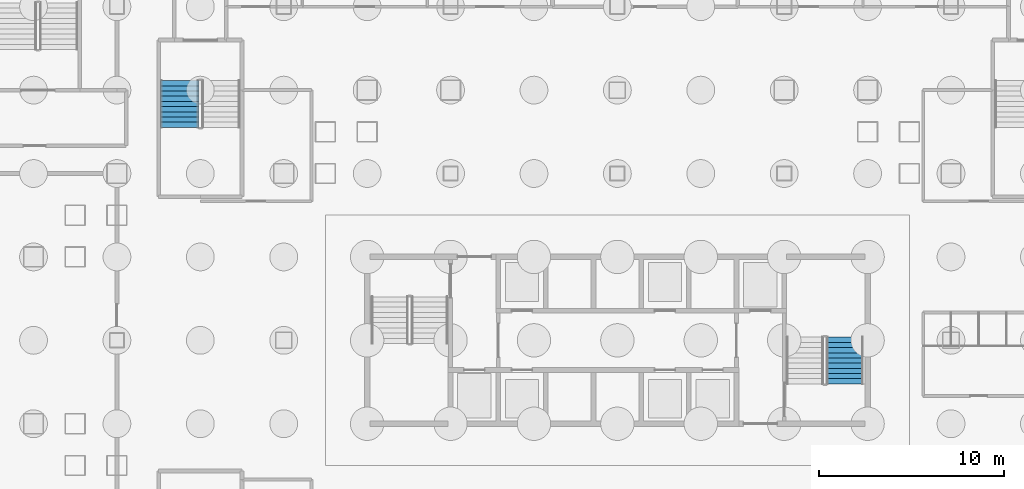
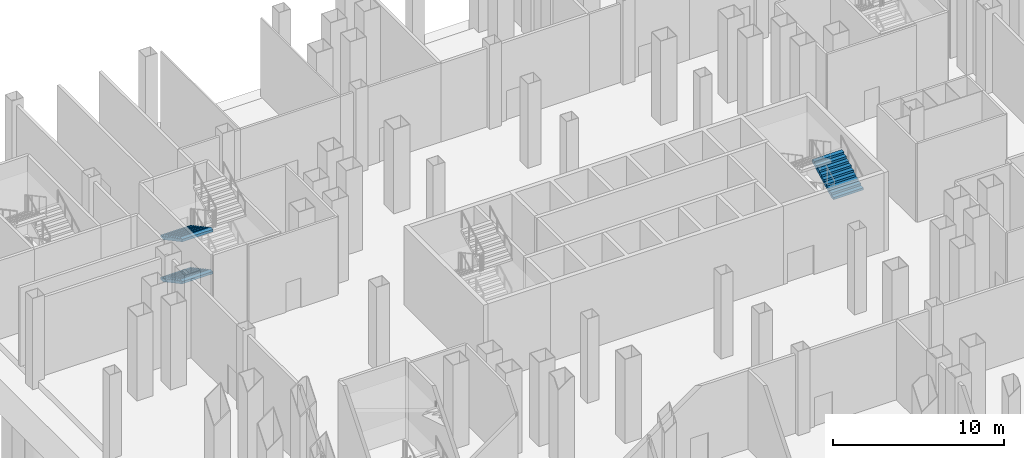
# One storey, part 13 of 25: 3 stair flights, 2 elements without a shape of their own.
"""IFC4 building model written with IfcOpenShell, lengths in metres."""

from ifc_helpers import new_model, si_unit, direction, frame, origin, place, context, subcontext, project, spatial, polygons, material, type_object, element, aggregate, save


model = new_model("IFC4")

# Units and contexts
model_context = context("Model", 3, precision=1e-05, world=origin(), true_north=direction((0.0, 1.0)))
body_context = subcontext(model_context, "Body", "Model", "MODEL_VIEW")
ifc_project = project(units=[si_unit("LENGTHUNIT", "METRE"), si_unit("AREAUNIT", "SQUARE_METRE"), si_unit("VOLUMEUNIT", "CUBIC_METRE"), si_unit("PLANEANGLEUNIT", "RADIAN"), si_unit("MASSUNIT", "GRAM", prefix="KILO")], contexts=[model_context])

# Site, building, storey
site_placement = place(None, origin())
site = spatial("IfcSite", under=ifc_project, at=site_placement, CompositionType="ELEMENT")
building_placement = place(site_placement, origin())
building = spatial("IfcBuilding", under=site, at=building_placement, Name="Caravel Reach Hotel and Residences", CompositionType="ELEMENT")
storey_placement = place(building_placement, frame((0.0, 0.0, -6.0)))
storey = spatial("IfcBuildingStorey", under=building, at=storey_placement, Name="B1", CompositionType="ELEMENT", Elevation=-6.0)

# Stair, stair flight
ifc_material_1 = material(Name="Concrete C40", Category="concrete")
stair_type = type_object("IfcStairType", Name="Core stair", PredefinedType="HALF_TURN_STAIR", material=ifc_material_1)
stair_1_placement = place(storey_placement, origin())
stair_1 = element("IfcStair", 1, at=stair_1_placement, inside=storey, type_object=stair_type, Name="B1 Exit stair B", PredefinedType="HALF_TURN_STAIR")
ifc_material_2 = material(Name="Concrete C40", Category="concrete")
stair_flight_type = type_object("IfcStairFlightType", Name="Core stair flight", PredefinedType="STRAIGHT", material=ifc_material_2)
stair_flight_1_placement = place(storey_placement, frame((43.77490234375, 24.64990234375, 3.0), z_axis=(0.0, 0.0, 1.0), x_axis=(0.0, 1.0, 0.0)))
stair_flight_1 = element("IfcStairFlight", 2, at=stair_flight_1_placement, type_object=stair_flight_type, Name="ST-B flight 3", NumberOfRisers=10, NumberOfTreads=9, PredefinedType="STRAIGHT", RiserHeight=0.15, TreadLength=0.28, context=body_context, shape_type="Tessellation", body=[
    polygons([(0.3174408016601862, 1.0, 0.0), (0.3174408016601862, 0.6666666666666667, 0.0), (0.3174408016601862, 0.33333333333333337, 0.0), (0.3174408016601862, 0.0, 0.0), (0.3174408016601862, -0.33333333333333326, 0.0), (0.3174408016601862, -0.6666666666666667, 0.0), (0.3174408016601862, -1.0, 0.0), (2.5210000000000004, 1.0, 1.1799424276820432), (2.5210000000000004, 0.6666666666666667, 1.1799424276820432), (2.5210000000000004, 0.33333333333333337, 1.1799424276820432), (2.5210000000000004, 0.0, 1.1799424276820432), (2.5210000000000004, -0.33333333333333326, 1.1799424276820432), (2.5210000000000004, -0.6666666666666667, 1.1799424276820432), (2.5210000000000004, -1.0, 1.1799424276820432), (2.5210000000000004, 1.0, 1.3499999999999999), (2.5210000000000004, 0.6666666666666667, 1.3499999999999999), (2.5210000000000004, 0.33333333333333337, 1.3499999999999999), (2.5210000000000004, 0.0, 1.3499999999999999), (2.5210000000000004, -0.33333333333333326, 1.3499999999999999), (2.5210000000000004, -0.6666666666666667, 1.3499999999999999), (2.5210000000000004, -1.0, 1.3499999999999999), (2.24, 1.0, 1.3499999999999999), (2.24, 0.6666666666666667, 1.3499999999999999), (2.24, 0.33333333333333337, 1.3499999999999999), (2.24, 0.0, 1.3499999999999999), (2.24, -0.33333333333333326, 1.3499999999999999), (2.24, -0.6666666666666667, 1.3499999999999999), (2.24, -1.0, 1.3499999999999999), (2.24, 1.0, 1.2), (2.24, 0.6666666666666667, 1.2), (2.24, 0.33333333333333337, 1.2), (2.24, 0.0, 1.2), (2.24, -0.33333333333333326, 1.2), (2.24, -0.6666666666666667, 1.2), (2.24, -1.0, 1.2), (1.9600000000000002, 1.0, 1.2), (1.9600000000000002, 0.6666666666666667, 1.2), (1.9600000000000002, 0.33333333333333337, 1.2), (1.9600000000000002, 0.0, 1.2), (1.9600000000000002, -0.33333333333333326, 1.2), (1.9600000000000002, -0.6666666666666667, 1.2), (1.9600000000000002, -1.0, 1.2), (1.9600000000000002, 1.0, 1.05), (1.9600000000000002, 0.6666666666666667, 1.05), (1.9600000000000002, 0.33333333333333337, 1.05), (1.9600000000000002, 0.0, 1.05), (1.9600000000000002, -0.33333333333333326, 1.05), (1.9600000000000002, -0.6666666666666667, 1.05), (1.9600000000000002, -1.0, 1.05), (1.6800000000000002, 1.0, 1.05), (1.6800000000000002, 0.6666666666666667, 1.05), (1.6800000000000002, 0.33333333333333337, 1.05), (1.6800000000000002, 0.0, 1.05), (1.6800000000000002, -0.33333333333333326, 1.05), (1.6800000000000002, -0.6666666666666667, 1.05), (1.6800000000000002, -1.0, 1.05), (1.6800000000000002, 1.0, 0.8999999999999999), (1.6800000000000002, 0.6666666666666667, 0.8999999999999999), (1.6800000000000002, 0.33333333333333337, 0.8999999999999999), (1.6800000000000002, 0.0, 0.8999999999999999), (1.6800000000000002, -0.33333333333333326, 0.8999999999999999), (1.6800000000000002, -0.6666666666666667, 0.8999999999999999), (1.6800000000000002, -1.0, 0.8999999999999999), (1.4000000000000001, 1.0, 0.8999999999999999), (1.4000000000000001, 0.6666666666666667, 0.8999999999999999), (1.4000000000000001, 0.33333333333333337, 0.8999999999999999), (1.4000000000000001, 0.0, 0.8999999999999999), (1.4000000000000001, -0.33333333333333326, 0.8999999999999999), (1.4000000000000001, -0.6666666666666667, 0.8999999999999999), (1.4000000000000001, -1.0, 0.8999999999999999), (1.4000000000000001, 1.0, 0.75), (1.4000000000000001, 0.6666666666666667, 0.75), (1.4000000000000001, 0.33333333333333337, 0.75), (1.4000000000000001, 0.0, 0.75), (1.4000000000000001, -0.33333333333333326, 0.75), (1.4000000000000001, -0.6666666666666667, 0.75), (1.4000000000000001, -1.0, 0.75), (1.12, 1.0, 0.75), (1.12, 0.6666666666666667, 0.75), (1.12, 0.33333333333333337, 0.75), (1.12, 0.0, 0.75), (1.12, -0.33333333333333326, 0.75), (1.12, -0.6666666666666667, 0.75), (1.12, -1.0, 0.75), (1.12, 1.0, 0.6), (1.12, 0.6666666666666667, 0.6), (1.12, 0.33333333333333337, 0.6), (1.12, 0.0, 0.6), (1.12, -0.33333333333333326, 0.6), (1.12, -0.6666666666666667, 0.6), (1.12, -1.0, 0.6), (0.8400000000000001, 1.0, 0.6), (0.8400000000000001, 0.6666666666666667, 0.6), (0.8400000000000001, 0.33333333333333337, 0.6), (0.8400000000000001, 0.0, 0.6), (0.8400000000000001, -0.33333333333333326, 0.6), (0.8400000000000001, -0.6666666666666667, 0.6), (0.8400000000000001, -1.0, 0.6), (0.8400000000000001, 1.0, 0.44999999999999996), (0.8400000000000001, 0.6666666666666667, 0.44999999999999996), (0.8400000000000001, 0.33333333333333337, 0.44999999999999996), (0.8400000000000001, 0.0, 0.44999999999999996), (0.8400000000000001, -0.33333333333333326, 0.44999999999999996), (0.8400000000000001, -0.6666666666666667, 0.44999999999999996), (0.8400000000000001, -1.0, 0.44999999999999996), (0.56, 1.0, 0.44999999999999996), (0.56, 0.6666666666666667, 0.44999999999999996), (0.56, 0.33333333333333337, 0.44999999999999996), (0.56, 0.0, 0.44999999999999996), (0.56, -0.33333333333333326, 0.44999999999999996), (0.56, -0.6666666666666667, 0.44999999999999996), (0.56, -1.0, 0.44999999999999996), (0.56, 1.0, 0.3), (0.56, 0.6666666666666667, 0.3), (0.56, 0.33333333333333337, 0.3), (0.56, 0.0, 0.3), (0.56, -0.33333333333333326, 0.3), (0.56, -0.6666666666666667, 0.3), (0.56, -1.0, 0.3), (0.28, 1.0, 0.3), (0.28, 0.6666666666666667, 0.3), (0.28, 0.33333333333333337, 0.3), (0.28, 0.0, 0.3), (0.28, -0.33333333333333326, 0.3), (0.28, -0.6666666666666667, 0.3), (0.28, -1.0, 0.3), (0.28, 1.0, 0.15), (0.28, 0.6666666666666667, 0.15), (0.28, 0.33333333333333337, 0.15), (0.28, 0.0, 0.15), (0.28, -0.33333333333333326, 0.15), (0.28, -0.6666666666666667, 0.15), (0.28, -1.0, 0.15), (-0.001, 1.0, 0.15), (-0.001, 0.6666666666666667, 0.15), (-0.001, 0.33333333333333337, 0.15), (-0.001, 0.0, 0.15), (-0.001, -0.33333333333333326, 0.15), (-0.001, -0.6666666666666667, 0.15), (-0.001, -1.0, 0.15), (-0.001, 1.0, 0.0), (-0.001, 0.6666666666666667, 0.0), (-0.001, 0.33333333333333337, 0.0), (-0.001, 0.0, 0.0), (-0.001, -0.33333333333333326, 0.0), (-0.001, -0.6666666666666667, 0.0), (-0.001, -1.0, 0.0)], [[[141, 134, 127, 120, 113, 106, 99, 92, 85, 78, 71, 64, 57, 50, 43, 36, 29, 22, 15, 8, 1]], [[7, 14, 21, 28, 35, 42, 49, 56, 63, 70, 77, 84, 91, 98, 105, 112, 119, 126, 133, 140, 147]], [[1, 8, 9, 2]], [[2, 9, 10, 3]], [[3, 10, 11, 4]], [[4, 11, 12, 5]], [[5, 12, 13, 6]], [[6, 13, 14, 7]], [[8, 15, 16, 9]], [[9, 16, 17, 10]], [[10, 17, 18, 11]], [[11, 18, 19, 12]], [[12, 19, 20, 13]], [[13, 20, 21, 14]], [[15, 22, 23, 16]], [[16, 23, 24, 17]], [[17, 24, 25, 18]], [[18, 25, 26, 19]], [[19, 26, 27, 20]], [[20, 27, 28, 21]], [[22, 29, 30, 23]], [[23, 30, 31, 24]], [[24, 31, 32, 25]], [[25, 32, 33, 26]], [[26, 33, 34, 27]], [[27, 34, 35, 28]], [[29, 36, 37, 30]], [[30, 37, 38, 31]], [[31, 38, 39, 32]], [[32, 39, 40, 33]], [[33, 40, 41, 34]], [[34, 41, 42, 35]], [[36, 43, 44, 37]], [[37, 44, 45, 38]], [[38, 45, 46, 39]], [[39, 46, 47, 40]], [[40, 47, 48, 41]], [[41, 48, 49, 42]], [[43, 50, 51, 44]], [[44, 51, 52, 45]], [[45, 52, 53, 46]], [[46, 53, 54, 47]], [[47, 54, 55, 48]], [[48, 55, 56, 49]], [[50, 57, 58, 51]], [[51, 58, 59, 52]], [[52, 59, 60, 53]], [[53, 60, 61, 54]], [[54, 61, 62, 55]], [[55, 62, 63, 56]], [[57, 64, 65, 58]], [[58, 65, 66, 59]], [[59, 66, 67, 60]], [[60, 67, 68, 61]], [[61, 68, 69, 62]], [[62, 69, 70, 63]], [[64, 71, 72, 65]], [[65, 72, 73, 66]], [[66, 73, 74, 67]], [[67, 74, 75, 68]], [[68, 75, 76, 69]], [[69, 76, 77, 70]], [[71, 78, 79, 72]], [[72, 79, 80, 73]], [[73, 80, 81, 74]], [[74, 81, 82, 75]], [[75, 82, 83, 76]], [[76, 83, 84, 77]], [[78, 85, 86, 79]], [[79, 86, 87, 80]], [[80, 87, 88, 81]], [[81, 88, 89, 82]], [[82, 89, 90, 83]], [[83, 90, 91, 84]], [[85, 92, 93, 86]], [[86, 93, 94, 87]], [[87, 94, 95, 88]], [[88, 95, 96, 89]], [[89, 96, 97, 90]], [[90, 97, 98, 91]], [[92, 99, 100, 93]], [[93, 100, 101, 94]], [[94, 101, 102, 95]], [[95, 102, 103, 96]], [[96, 103, 104, 97]], [[97, 104, 105, 98]], [[99, 106, 107, 100]], [[100, 107, 108, 101]], [[101, 108, 109, 102]], [[102, 109, 110, 103]], [[103, 110, 111, 104]], [[104, 111, 112, 105]], [[106, 113, 114, 107]], [[107, 114, 115, 108]], [[108, 115, 116, 109]], [[109, 116, 117, 110]], [[110, 117, 118, 111]], [[111, 118, 119, 112]], [[113, 120, 121, 114]], [[114, 121, 122, 115]], [[115, 122, 123, 116]], [[116, 123, 124, 117]], [[117, 124, 125, 118]], [[118, 125, 126, 119]], [[120, 127, 128, 121]], [[121, 128, 129, 122]], [[122, 129, 130, 123]], [[123, 130, 131, 124]], [[124, 131, 132, 125]], [[125, 132, 133, 126]], [[127, 134, 135, 128]], [[128, 135, 136, 129]], [[129, 136, 137, 130]], [[130, 137, 138, 131]], [[131, 138, 139, 132]], [[132, 139, 140, 133]], [[134, 141, 142, 135]], [[135, 142, 143, 136]], [[136, 143, 144, 137]], [[137, 144, 145, 138]], [[138, 145, 146, 139]], [[139, 146, 147, 140]], [[141, 1, 2, 142]], [[142, 2, 3, 143]], [[143, 3, 4, 144]], [[144, 4, 5, 145]], [[145, 5, 6, 146]], [[146, 6, 7, 147]]], closed=True),
])
aggregate(stair_1, [stair_flight_1])

# Stair, stair flights
stair_2_placement = place(storey_placement, origin())
stair_2 = element("IfcStair", 3, at=stair_2_placement, inside=storey, type_object=stair_type, Name="B1 Exit stair P1", PredefinedType="HALF_TURN_STAIR")
stair_flight_2_placement = place(storey_placement, frame((7.889892578125, 41.010009765625, 0.0), z_axis=(0.0, 0.0, 1.0), x_axis=(0.0, -1.0, 0.0)))
stair_flight_2 = element("IfcStairFlight", 4, at=stair_flight_2_placement, type_object=stair_flight_type, Name="ST-P1 flight 1", NumberOfRisers=10, NumberOfTreads=9, PredefinedType="STRAIGHT", RiserHeight=0.15, TreadLength=0.28, context=body_context, shape_type="Tessellation", body=[
    polygons([(0.3174408016601862, 1.0350341796875, 0.0), (0.3174408016601862, 0.6900227864583333, 0.0), (0.3174408016601862, 0.34501139322916663, 0.0), (0.3174408016601862, 0.0, 0.0), (0.3174408016601862, -0.34501139322916674, 0.0), (0.3174408016601862, -0.6900227864583333, 0.0), (0.3174408016601862, -1.0350341796875, 0.0), (2.5210000000000004, 1.0350341796875, 1.1799424276820432), (2.5210000000000004, 0.6900227864583333, 1.1799424276820432), (2.5210000000000004, 0.34501139322916663, 1.1799424276820432), (2.5210000000000004, 0.0, 1.1799424276820432), (2.5210000000000004, -0.34501139322916674, 1.1799424276820432), (2.5210000000000004, -0.6900227864583333, 1.1799424276820432), (2.5210000000000004, -1.0350341796875, 1.1799424276820432), (2.5210000000000004, 1.0350341796875, 1.3499999999999999), (2.5210000000000004, 0.6900227864583333, 1.3499999999999999), (2.5210000000000004, 0.34501139322916663, 1.3499999999999999), (2.5210000000000004, 0.0, 1.3499999999999999), (2.5210000000000004, -0.34501139322916674, 1.3499999999999999), (2.5210000000000004, -0.6900227864583333, 1.3499999999999999), (2.5210000000000004, -1.0350341796875, 1.3499999999999999), (2.24, 1.0350341796875, 1.3499999999999999), (2.24, 0.6900227864583333, 1.3499999999999999), (2.24, 0.34501139322916663, 1.3499999999999999), (2.24, 0.0, 1.3499999999999999), (2.24, -0.34501139322916674, 1.3499999999999999), (2.24, -0.6900227864583333, 1.3499999999999999), (2.24, -1.0350341796875, 1.3499999999999999), (2.24, 1.0350341796875, 1.2), (2.24, 0.6900227864583333, 1.2), (2.24, 0.34501139322916663, 1.2), (2.24, 0.0, 1.2), (2.24, -0.34501139322916674, 1.2), (2.24, -0.6900227864583333, 1.2), (2.24, -1.0350341796875, 1.2), (1.9600000000000002, 1.0350341796875, 1.2), (1.9600000000000002, 0.6900227864583333, 1.2), (1.9600000000000002, 0.34501139322916663, 1.2), (1.9600000000000002, 0.0, 1.2), (1.9600000000000002, -0.34501139322916674, 1.2), (1.9600000000000002, -0.6900227864583333, 1.2), (1.9600000000000002, -1.0350341796875, 1.2), (1.9600000000000002, 1.0350341796875, 1.05), (1.9600000000000002, 0.6900227864583333, 1.05), (1.9600000000000002, 0.34501139322916663, 1.05), (1.9600000000000002, 0.0, 1.05), (1.9600000000000002, -0.34501139322916674, 1.05), (1.9600000000000002, -0.6900227864583333, 1.05), (1.9600000000000002, -1.0350341796875, 1.05), (1.6800000000000002, 1.0350341796875, 1.05), (1.6800000000000002, 0.6900227864583333, 1.05), (1.6800000000000002, 0.34501139322916663, 1.05), (1.6800000000000002, 0.0, 1.05), (1.6800000000000002, -0.34501139322916674, 1.05), (1.6800000000000002, -0.6900227864583333, 1.05), (1.6800000000000002, -1.0350341796875, 1.05), (1.6800000000000002, 1.0350341796875, 0.8999999999999999), (1.6800000000000002, 0.6900227864583333, 0.8999999999999999), (1.6800000000000002, 0.34501139322916663, 0.8999999999999999), (1.6800000000000002, 0.0, 0.8999999999999999), (1.6800000000000002, -0.34501139322916674, 0.8999999999999999), (1.6800000000000002, -0.6900227864583333, 0.8999999999999999), (1.6800000000000002, -1.0350341796875, 0.8999999999999999), (1.4000000000000001, 1.0350341796875, 0.8999999999999999), (1.4000000000000001, 0.6900227864583333, 0.8999999999999999), (1.4000000000000001, 0.34501139322916663, 0.8999999999999999), (1.4000000000000001, 0.0, 0.8999999999999999), (1.4000000000000001, -0.34501139322916674, 0.8999999999999999), (1.4000000000000001, -0.6900227864583333, 0.8999999999999999), (1.4000000000000001, -1.0350341796875, 0.8999999999999999), (1.4000000000000001, 1.0350341796875, 0.75), (1.4000000000000001, 0.6900227864583333, 0.75), (1.4000000000000001, 0.34501139322916663, 0.75), (1.4000000000000001, 0.0, 0.75), (1.4000000000000001, -0.34501139322916674, 0.75), (1.4000000000000001, -0.6900227864583333, 0.75), (1.4000000000000001, -1.0350341796875, 0.75), (1.12, 1.0350341796875, 0.75), (1.12, 0.6900227864583333, 0.75), (1.12, 0.34501139322916663, 0.75), (1.12, 0.0, 0.75), (1.12, -0.34501139322916674, 0.75), (1.12, -0.6900227864583333, 0.75), (1.12, -1.0350341796875, 0.75), (1.12, 1.0350341796875, 0.6), (1.12, 0.6900227864583333, 0.6), (1.12, 0.34501139322916663, 0.6), (1.12, 0.0, 0.6), (1.12, -0.34501139322916674, 0.6), (1.12, -0.6900227864583333, 0.6), (1.12, -1.0350341796875, 0.6), (0.8400000000000001, 1.0350341796875, 0.6), (0.8400000000000001, 0.6900227864583333, 0.6), (0.8400000000000001, 0.34501139322916663, 0.6), (0.8400000000000001, 0.0, 0.6), (0.8400000000000001, -0.34501139322916674, 0.6), (0.8400000000000001, -0.6900227864583333, 0.6), (0.8400000000000001, -1.0350341796875, 0.6), (0.8400000000000001, 1.0350341796875, 0.44999999999999996), (0.8400000000000001, 0.6900227864583333, 0.44999999999999996), (0.8400000000000001, 0.34501139322916663, 0.44999999999999996), (0.8400000000000001, 0.0, 0.44999999999999996), (0.8400000000000001, -0.34501139322916674, 0.44999999999999996), (0.8400000000000001, -0.6900227864583333, 0.44999999999999996), (0.8400000000000001, -1.0350341796875, 0.44999999999999996), (0.56, 1.0350341796875, 0.44999999999999996), (0.56, 0.6900227864583333, 0.44999999999999996), (0.56, 0.34501139322916663, 0.44999999999999996), (0.56, 0.0, 0.44999999999999996), (0.56, -0.34501139322916674, 0.44999999999999996), (0.56, -0.6900227864583333, 0.44999999999999996), (0.56, -1.0350341796875, 0.44999999999999996), (0.56, 1.0350341796875, 0.3), (0.56, 0.6900227864583333, 0.3), (0.56, 0.34501139322916663, 0.3), (0.56, 0.0, 0.3), (0.56, -0.34501139322916674, 0.3), (0.56, -0.6900227864583333, 0.3), (0.56, -1.0350341796875, 0.3), (0.28, 1.0350341796875, 0.3), (0.28, 0.6900227864583333, 0.3), (0.28, 0.34501139322916663, 0.3), (0.28, 0.0, 0.3), (0.28, -0.34501139322916674, 0.3), (0.28, -0.6900227864583333, 0.3), (0.28, -1.0350341796875, 0.3), (0.28, 1.0350341796875, 0.15), (0.28, 0.6900227864583333, 0.15), (0.28, 0.34501139322916663, 0.15), (0.28, 0.0, 0.15), (0.28, -0.34501139322916674, 0.15), (0.28, -0.6900227864583333, 0.15), (0.28, -1.0350341796875, 0.15), (-0.001, 1.0350341796875, 0.15), (-0.001, 0.6900227864583333, 0.15), (-0.001, 0.34501139322916663, 0.15), (-0.001, 0.0, 0.15), (-0.001, -0.34501139322916674, 0.15), (-0.001, -0.6900227864583333, 0.15), (-0.001, -1.0350341796875, 0.15), (-0.001, 1.0350341796875, 0.0), (-0.001, 0.6900227864583333, 0.0), (-0.001, 0.34501139322916663, 0.0), (-0.001, 0.0, 0.0), (-0.001, -0.34501139322916674, 0.0), (-0.001, -0.6900227864583333, 0.0), (-0.001, -1.0350341796875, 0.0)], [[[141, 134, 127, 120, 113, 106, 99, 92, 85, 78, 71, 64, 57, 50, 43, 36, 29, 22, 15, 8, 1]], [[7, 14, 21, 28, 35, 42, 49, 56, 63, 70, 77, 84, 91, 98, 105, 112, 119, 126, 133, 140, 147]], [[1, 8, 9, 2]], [[2, 9, 10, 3]], [[3, 10, 11, 4]], [[4, 11, 12, 5]], [[5, 12, 13, 6]], [[6, 13, 14, 7]], [[8, 15, 16, 9]], [[9, 16, 17, 10]], [[10, 17, 18, 11]], [[11, 18, 19, 12]], [[12, 19, 20, 13]], [[13, 20, 21, 14]], [[15, 22, 23, 16]], [[16, 23, 24, 17]], [[17, 24, 25, 18]], [[18, 25, 26, 19]], [[19, 26, 27, 20]], [[20, 27, 28, 21]], [[22, 29, 30, 23]], [[23, 30, 31, 24]], [[24, 31, 32, 25]], [[25, 32, 33, 26]], [[26, 33, 34, 27]], [[27, 34, 35, 28]], [[29, 36, 37, 30]], [[30, 37, 38, 31]], [[31, 38, 39, 32]], [[32, 39, 40, 33]], [[33, 40, 41, 34]], [[34, 41, 42, 35]], [[36, 43, 44, 37]], [[37, 44, 45, 38]], [[38, 45, 46, 39]], [[39, 46, 47, 40]], [[40, 47, 48, 41]], [[41, 48, 49, 42]], [[43, 50, 51, 44]], [[44, 51, 52, 45]], [[45, 52, 53, 46]], [[46, 53, 54, 47]], [[47, 54, 55, 48]], [[48, 55, 56, 49]], [[50, 57, 58, 51]], [[51, 58, 59, 52]], [[52, 59, 60, 53]], [[53, 60, 61, 54]], [[54, 61, 62, 55]], [[55, 62, 63, 56]], [[57, 64, 65, 58]], [[58, 65, 66, 59]], [[59, 66, 67, 60]], [[60, 67, 68, 61]], [[61, 68, 69, 62]], [[62, 69, 70, 63]], [[64, 71, 72, 65]], [[65, 72, 73, 66]], [[66, 73, 74, 67]], [[67, 74, 75, 68]], [[68, 75, 76, 69]], [[69, 76, 77, 70]], [[71, 78, 79, 72]], [[72, 79, 80, 73]], [[73, 80, 81, 74]], [[74, 81, 82, 75]], [[75, 82, 83, 76]], [[76, 83, 84, 77]], [[78, 85, 86, 79]], [[79, 86, 87, 80]], [[80, 87, 88, 81]], [[81, 88, 89, 82]], [[82, 89, 90, 83]], [[83, 90, 91, 84]], [[85, 92, 93, 86]], [[86, 93, 94, 87]], [[87, 94, 95, 88]], [[88, 95, 96, 89]], [[89, 96, 97, 90]], [[90, 97, 98, 91]], [[92, 99, 100, 93]], [[93, 100, 101, 94]], [[94, 101, 102, 95]], [[95, 102, 103, 96]], [[96, 103, 104, 97]], [[97, 104, 105, 98]], [[99, 106, 107, 100]], [[100, 107, 108, 101]], [[101, 108, 109, 102]], [[102, 109, 110, 103]], [[103, 110, 111, 104]], [[104, 111, 112, 105]], [[106, 113, 114, 107]], [[107, 114, 115, 108]], [[108, 115, 116, 109]], [[109, 116, 117, 110]], [[110, 117, 118, 111]], [[111, 118, 119, 112]], [[113, 120, 121, 114]], [[114, 121, 122, 115]], [[115, 122, 123, 116]], [[116, 123, 124, 117]], [[117, 124, 125, 118]], [[118, 125, 126, 119]], [[120, 127, 128, 121]], [[121, 128, 129, 122]], [[122, 129, 130, 123]], [[123, 130, 131, 124]], [[124, 131, 132, 125]], [[125, 132, 133, 126]], [[127, 134, 135, 128]], [[128, 135, 136, 129]], [[129, 136, 137, 130]], [[130, 137, 138, 131]], [[131, 138, 139, 132]], [[132, 139, 140, 133]], [[134, 141, 142, 135]], [[135, 142, 143, 136]], [[136, 143, 144, 137]], [[137, 144, 145, 138]], [[138, 145, 146, 139]], [[139, 146, 147, 140]], [[141, 1, 2, 142]], [[142, 2, 3, 143]], [[143, 3, 4, 144]], [[144, 4, 5, 145]], [[145, 5, 6, 146]], [[146, 6, 7, 147]]], closed=True),
])
stair_flight_3_placement = place(storey_placement, frame((7.889892578125, 41.010009765625, 3.0), z_axis=(0.0, 0.0, 1.0), x_axis=(0.0, -1.0, 0.0)))
stair_flight_3 = element("IfcStairFlight", 5, at=stair_flight_3_placement, type_object=stair_flight_type, Name="ST-P1 flight 3", NumberOfRisers=10, NumberOfTreads=9, PredefinedType="STRAIGHT", RiserHeight=0.15, TreadLength=0.28, context=body_context, shape_type="Tessellation", body=[
    polygons([(0.3174408016601862, 1.0350341796875, 0.0), (0.3174408016601862, 0.6900227864583333, 0.0), (0.3174408016601862, 0.34501139322916663, 0.0), (0.3174408016601862, 0.0, 0.0), (0.3174408016601862, -0.34501139322916674, 0.0), (0.3174408016601862, -0.6900227864583333, 0.0), (0.3174408016601862, -1.0350341796875, 0.0), (2.5210000000000004, 1.0350341796875, 1.1799424276820432), (2.5210000000000004, 0.6900227864583333, 1.1799424276820432), (2.5210000000000004, 0.34501139322916663, 1.1799424276820432), (2.5210000000000004, 0.0, 1.1799424276820432), (2.5210000000000004, -0.34501139322916674, 1.1799424276820432), (2.5210000000000004, -0.6900227864583333, 1.1799424276820432), (2.5210000000000004, -1.0350341796875, 1.1799424276820432), (2.5210000000000004, 1.0350341796875, 1.3499999999999999), (2.5210000000000004, 0.6900227864583333, 1.3499999999999999), (2.5210000000000004, 0.34501139322916663, 1.3499999999999999), (2.5210000000000004, 0.0, 1.3499999999999999), (2.5210000000000004, -0.34501139322916674, 1.3499999999999999), (2.5210000000000004, -0.6900227864583333, 1.3499999999999999), (2.5210000000000004, -1.0350341796875, 1.3499999999999999), (2.24, 1.0350341796875, 1.3499999999999999), (2.24, 0.6900227864583333, 1.3499999999999999), (2.24, 0.34501139322916663, 1.3499999999999999), (2.24, 0.0, 1.3499999999999999), (2.24, -0.34501139322916674, 1.3499999999999999), (2.24, -0.6900227864583333, 1.3499999999999999), (2.24, -1.0350341796875, 1.3499999999999999), (2.24, 1.0350341796875, 1.2), (2.24, 0.6900227864583333, 1.2), (2.24, 0.34501139322916663, 1.2), (2.24, 0.0, 1.2), (2.24, -0.34501139322916674, 1.2), (2.24, -0.6900227864583333, 1.2), (2.24, -1.0350341796875, 1.2), (1.9600000000000002, 1.0350341796875, 1.2), (1.9600000000000002, 0.6900227864583333, 1.2), (1.9600000000000002, 0.34501139322916663, 1.2), (1.9600000000000002, 0.0, 1.2), (1.9600000000000002, -0.34501139322916674, 1.2), (1.9600000000000002, -0.6900227864583333, 1.2), (1.9600000000000002, -1.0350341796875, 1.2), (1.9600000000000002, 1.0350341796875, 1.05), (1.9600000000000002, 0.6900227864583333, 1.05), (1.9600000000000002, 0.34501139322916663, 1.05), (1.9600000000000002, 0.0, 1.05), (1.9600000000000002, -0.34501139322916674, 1.05), (1.9600000000000002, -0.6900227864583333, 1.05), (1.9600000000000002, -1.0350341796875, 1.05), (1.6800000000000002, 1.0350341796875, 1.05), (1.6800000000000002, 0.6900227864583333, 1.05), (1.6800000000000002, 0.34501139322916663, 1.05), (1.6800000000000002, 0.0, 1.05), (1.6800000000000002, -0.34501139322916674, 1.05), (1.6800000000000002, -0.6900227864583333, 1.05), (1.6800000000000002, -1.0350341796875, 1.05), (1.6800000000000002, 1.0350341796875, 0.8999999999999999), (1.6800000000000002, 0.6900227864583333, 0.8999999999999999), (1.6800000000000002, 0.34501139322916663, 0.8999999999999999), (1.6800000000000002, 0.0, 0.8999999999999999), (1.6800000000000002, -0.34501139322916674, 0.8999999999999999), (1.6800000000000002, -0.6900227864583333, 0.8999999999999999), (1.6800000000000002, -1.0350341796875, 0.8999999999999999), (1.4000000000000001, 1.0350341796875, 0.8999999999999999), (1.4000000000000001, 0.6900227864583333, 0.8999999999999999), (1.4000000000000001, 0.34501139322916663, 0.8999999999999999), (1.4000000000000001, 0.0, 0.8999999999999999), (1.4000000000000001, -0.34501139322916674, 0.8999999999999999), (1.4000000000000001, -0.6900227864583333, 0.8999999999999999), (1.4000000000000001, -1.0350341796875, 0.8999999999999999), (1.4000000000000001, 1.0350341796875, 0.75), (1.4000000000000001, 0.6900227864583333, 0.75), (1.4000000000000001, 0.34501139322916663, 0.75), (1.4000000000000001, 0.0, 0.75), (1.4000000000000001, -0.34501139322916674, 0.75), (1.4000000000000001, -0.6900227864583333, 0.75), (1.4000000000000001, -1.0350341796875, 0.75), (1.12, 1.0350341796875, 0.75), (1.12, 0.6900227864583333, 0.75), (1.12, 0.34501139322916663, 0.75), (1.12, 0.0, 0.75), (1.12, -0.34501139322916674, 0.75), (1.12, -0.6900227864583333, 0.75), (1.12, -1.0350341796875, 0.75), (1.12, 1.0350341796875, 0.6), (1.12, 0.6900227864583333, 0.6), (1.12, 0.34501139322916663, 0.6), (1.12, 0.0, 0.6), (1.12, -0.34501139322916674, 0.6), (1.12, -0.6900227864583333, 0.6), (1.12, -1.0350341796875, 0.6), (0.8400000000000001, 1.0350341796875, 0.6), (0.8400000000000001, 0.6900227864583333, 0.6), (0.8400000000000001, 0.34501139322916663, 0.6), (0.8400000000000001, 0.0, 0.6), (0.8400000000000001, -0.34501139322916674, 0.6), (0.8400000000000001, -0.6900227864583333, 0.6), (0.8400000000000001, -1.0350341796875, 0.6), (0.8400000000000001, 1.0350341796875, 0.44999999999999996), (0.8400000000000001, 0.6900227864583333, 0.44999999999999996), (0.8400000000000001, 0.34501139322916663, 0.44999999999999996), (0.8400000000000001, 0.0, 0.44999999999999996), (0.8400000000000001, -0.34501139322916674, 0.44999999999999996), (0.8400000000000001, -0.6900227864583333, 0.44999999999999996), (0.8400000000000001, -1.0350341796875, 0.44999999999999996), (0.56, 1.0350341796875, 0.44999999999999996), (0.56, 0.6900227864583333, 0.44999999999999996), (0.56, 0.34501139322916663, 0.44999999999999996), (0.56, 0.0, 0.44999999999999996), (0.56, -0.34501139322916674, 0.44999999999999996), (0.56, -0.6900227864583333, 0.44999999999999996), (0.56, -1.0350341796875, 0.44999999999999996), (0.56, 1.0350341796875, 0.3), (0.56, 0.6900227864583333, 0.3), (0.56, 0.34501139322916663, 0.3), (0.56, 0.0, 0.3), (0.56, -0.34501139322916674, 0.3), (0.56, -0.6900227864583333, 0.3), (0.56, -1.0350341796875, 0.3), (0.28, 1.0350341796875, 0.3), (0.28, 0.6900227864583333, 0.3), (0.28, 0.34501139322916663, 0.3), (0.28, 0.0, 0.3), (0.28, -0.34501139322916674, 0.3), (0.28, -0.6900227864583333, 0.3), (0.28, -1.0350341796875, 0.3), (0.28, 1.0350341796875, 0.15), (0.28, 0.6900227864583333, 0.15), (0.28, 0.34501139322916663, 0.15), (0.28, 0.0, 0.15), (0.28, -0.34501139322916674, 0.15), (0.28, -0.6900227864583333, 0.15), (0.28, -1.0350341796875, 0.15), (-0.001, 1.0350341796875, 0.15), (-0.001, 0.6900227864583333, 0.15), (-0.001, 0.34501139322916663, 0.15), (-0.001, 0.0, 0.15), (-0.001, -0.34501139322916674, 0.15), (-0.001, -0.6900227864583333, 0.15), (-0.001, -1.0350341796875, 0.15), (-0.001, 1.0350341796875, 0.0), (-0.001, 0.6900227864583333, 0.0), (-0.001, 0.34501139322916663, 0.0), (-0.001, 0.0, 0.0), (-0.001, -0.34501139322916674, 0.0), (-0.001, -0.6900227864583333, 0.0), (-0.001, -1.0350341796875, 0.0)], [[[141, 134, 127, 120, 113, 106, 99, 92, 85, 78, 71, 64, 57, 50, 43, 36, 29, 22, 15, 8, 1]], [[7, 14, 21, 28, 35, 42, 49, 56, 63, 70, 77, 84, 91, 98, 105, 112, 119, 126, 133, 140, 147]], [[1, 8, 9, 2]], [[2, 9, 10, 3]], [[3, 10, 11, 4]], [[4, 11, 12, 5]], [[5, 12, 13, 6]], [[6, 13, 14, 7]], [[8, 15, 16, 9]], [[9, 16, 17, 10]], [[10, 17, 18, 11]], [[11, 18, 19, 12]], [[12, 19, 20, 13]], [[13, 20, 21, 14]], [[15, 22, 23, 16]], [[16, 23, 24, 17]], [[17, 24, 25, 18]], [[18, 25, 26, 19]], [[19, 26, 27, 20]], [[20, 27, 28, 21]], [[22, 29, 30, 23]], [[23, 30, 31, 24]], [[24, 31, 32, 25]], [[25, 32, 33, 26]], [[26, 33, 34, 27]], [[27, 34, 35, 28]], [[29, 36, 37, 30]], [[30, 37, 38, 31]], [[31, 38, 39, 32]], [[32, 39, 40, 33]], [[33, 40, 41, 34]], [[34, 41, 42, 35]], [[36, 43, 44, 37]], [[37, 44, 45, 38]], [[38, 45, 46, 39]], [[39, 46, 47, 40]], [[40, 47, 48, 41]], [[41, 48, 49, 42]], [[43, 50, 51, 44]], [[44, 51, 52, 45]], [[45, 52, 53, 46]], [[46, 53, 54, 47]], [[47, 54, 55, 48]], [[48, 55, 56, 49]], [[50, 57, 58, 51]], [[51, 58, 59, 52]], [[52, 59, 60, 53]], [[53, 60, 61, 54]], [[54, 61, 62, 55]], [[55, 62, 63, 56]], [[57, 64, 65, 58]], [[58, 65, 66, 59]], [[59, 66, 67, 60]], [[60, 67, 68, 61]], [[61, 68, 69, 62]], [[62, 69, 70, 63]], [[64, 71, 72, 65]], [[65, 72, 73, 66]], [[66, 73, 74, 67]], [[67, 74, 75, 68]], [[68, 75, 76, 69]], [[69, 76, 77, 70]], [[71, 78, 79, 72]], [[72, 79, 80, 73]], [[73, 80, 81, 74]], [[74, 81, 82, 75]], [[75, 82, 83, 76]], [[76, 83, 84, 77]], [[78, 85, 86, 79]], [[79, 86, 87, 80]], [[80, 87, 88, 81]], [[81, 88, 89, 82]], [[82, 89, 90, 83]], [[83, 90, 91, 84]], [[85, 92, 93, 86]], [[86, 93, 94, 87]], [[87, 94, 95, 88]], [[88, 95, 96, 89]], [[89, 96, 97, 90]], [[90, 97, 98, 91]], [[92, 99, 100, 93]], [[93, 100, 101, 94]], [[94, 101, 102, 95]], [[95, 102, 103, 96]], [[96, 103, 104, 97]], [[97, 104, 105, 98]], [[99, 106, 107, 100]], [[100, 107, 108, 101]], [[101, 108, 109, 102]], [[102, 109, 110, 103]], [[103, 110, 111, 104]], [[104, 111, 112, 105]], [[106, 113, 114, 107]], [[107, 114, 115, 108]], [[108, 115, 116, 109]], [[109, 116, 117, 110]], [[110, 117, 118, 111]], [[111, 118, 119, 112]], [[113, 120, 121, 114]], [[114, 121, 122, 115]], [[115, 122, 123, 116]], [[116, 123, 124, 117]], [[117, 124, 125, 118]], [[118, 125, 126, 119]], [[120, 127, 128, 121]], [[121, 128, 129, 122]], [[122, 129, 130, 123]], [[123, 130, 131, 124]], [[124, 131, 132, 125]], [[125, 132, 133, 126]], [[127, 134, 135, 128]], [[128, 135, 136, 129]], [[129, 136, 137, 130]], [[130, 137, 138, 131]], [[131, 138, 139, 132]], [[132, 139, 140, 133]], [[134, 141, 142, 135]], [[135, 142, 143, 136]], [[136, 143, 144, 137]], [[137, 144, 145, 138]], [[138, 145, 146, 139]], [[139, 146, 147, 140]], [[141, 1, 2, 142]], [[142, 2, 3, 143]], [[143, 3, 4, 144]], [[144, 4, 5, 145]], [[145, 5, 6, 146]], [[146, 6, 7, 147]]], closed=True),
])
aggregate(stair_2, [stair_flight_2, stair_flight_3])

save(model, "model.ifc")
